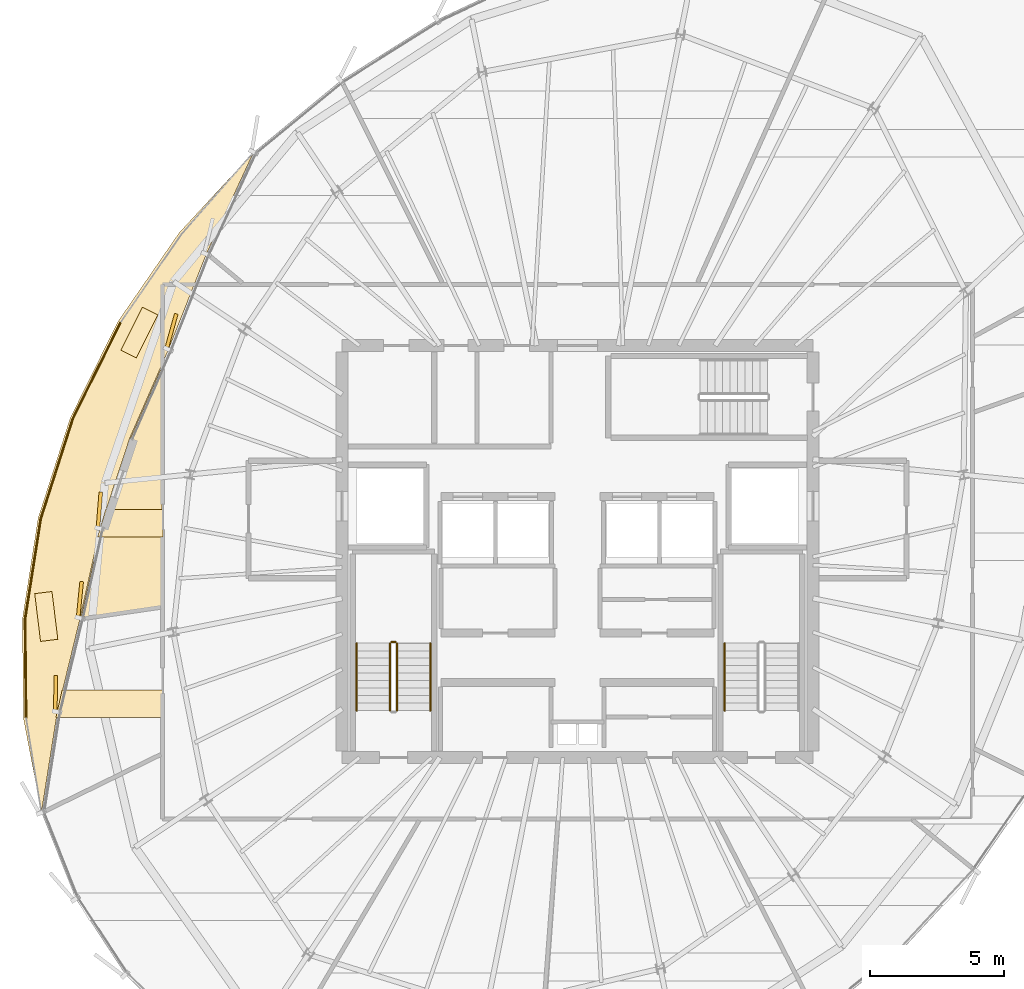
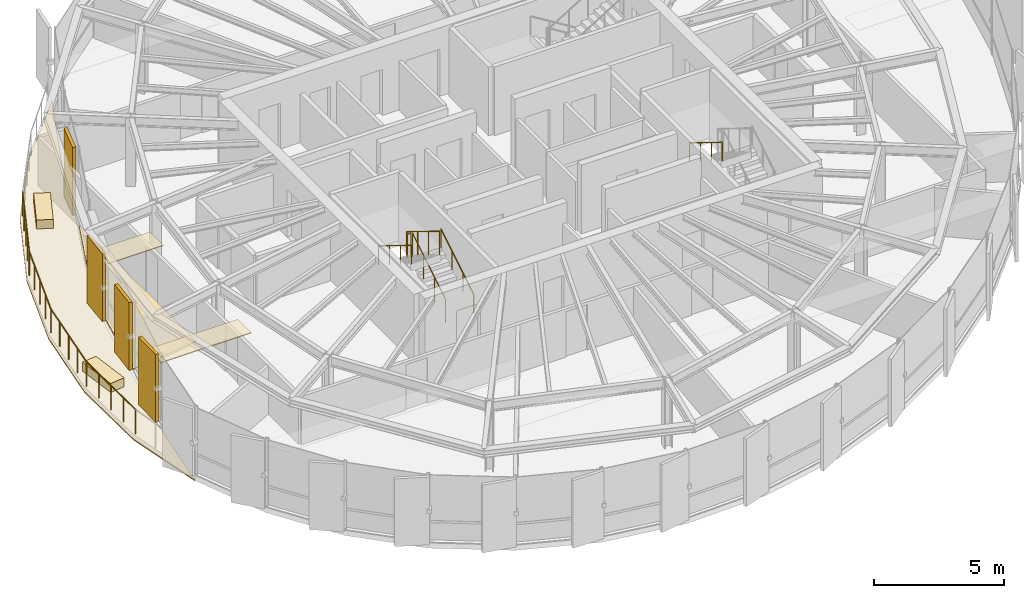
# One storey, part 34 of 36: 10 coverings, 10 railings.
"""IFC4 building model written with IfcOpenShell, lengths in metres."""

from ifc_helpers import new_model, si_unit, direction, frame, origin, origin_2d, place, context, subcontext, project, spatial, polyline, rectangle, circle, outline, extrude, source, transform, mapped, material, layer, layer_set, type_object, element, save


model = new_model("IFC4")

# Units and contexts
model_context = context("Model", 3, precision=1e-05, world=origin(), true_north=direction((0.0, 1.0)))
body_context = subcontext(model_context, "Body", "Model", "MODEL_VIEW")
ifc_project = project(units=[si_unit("LENGTHUNIT", "METRE"), si_unit("AREAUNIT", "SQUARE_METRE"), si_unit("VOLUMEUNIT", "CUBIC_METRE"), si_unit("PLANEANGLEUNIT", "RADIAN"), si_unit("MASSUNIT", "GRAM", prefix="KILO"), si_unit("THERMODYNAMICTEMPERATUREUNIT", "KELVIN")], contexts=[model_context])

# Site, building, storey
site_placement = place(None, origin())
site = spatial("IfcSite", under=ifc_project, at=site_placement, CompositionType="ELEMENT")
building_placement = place(site_placement, origin())
building = spatial("IfcBuilding", under=site, at=building_placement, Name="Kethvar Cultural Tower", CompositionType="ELEMENT")
storey_placement = place(building_placement, frame((0.0, 0.0, 242.199951171875)))
storey = spatial("IfcBuildingStorey", under=building, at=storey_placement, Name="L63", CompositionType="ELEMENT", Elevation=242.199951171875)

# Coverings
ifc_material_1 = material(Name="Acoustic Mineral Fibre Ceiling")
ifc_layer_1 = layer(ifc_material_1, 0.0400390625, Name="Acoustic Mineral Fibre Ceiling")
ifc_layer_set_1 = layer_set([ifc_layer_1], Name="Acoustic Mineral Fibre Ceiling (40 mm)")
covering_type_1 = type_object("IfcCoveringType", Name="CV-ACOUSTIC-CEIL", PredefinedType="CEILING", material=ifc_layer_set_1)
covering_1_placement = place(storey_placement, frame((0.0, 0.0, 2.89013671875)))
element("IfcCovering", 1, at=covering_1_placement, inside=storey, type_object=covering_type_1, Name="L63 Room 01 Acoustic Ceiling Panel", PredefinedType="CEILING", context=body_context, shape_type="SweptSolid", body=[
    extrude(outline(polyline([(27.298095703125, 21.5986328125), (27.530517578125, 22.628662109375), (31.31005859375, 22.628662109375), (31.31005859375, 21.5986328125), (27.298095703125, 21.5986328125)])), origin(), (0.0, 0.0, 1.0), 0.039794921875),
])
covering_2_placement = place(storey_placement, frame((0.0, 0.0, 2.89013671875)))
element("IfcCovering", 2, at=covering_2_placement, inside=storey, type_object=covering_type_1, Name="L63 Room 12 Acoustic Ceiling Panel", PredefinedType="CEILING", context=body_context, shape_type="SweptSolid", body=[
    extrude(outline(polyline([(28.8544921875, 28.3369140625), (29.1552734375, 29.366943359375), (31.31005859375, 29.366943359375), (31.31005859375, 28.3369140625), (28.8544921875, 28.3369140625)])), origin(), (0.0, 0.0, 1.0), 0.039794921875),
])
ifc_material_2 = material(Name="Insulated Waterproofing Membrane")
ifc_layer_2 = layer(ifc_material_2, 0.06005859375, Name="Insulated Waterproofing Membrane")
ifc_layer_set_2 = layer_set([ifc_layer_2], Name="Insulated Waterproofing Membrane (60 mm)")
covering_type_2 = type_object("IfcCoveringType", Name="CV-ROOF-MEMB", PredefinedType="ROOFING", material=ifc_layer_set_2)
covering_3_placement = place(storey_placement, frame((0.0, 0.0, -0.27490234375)))
element("IfcCovering", 3, at=covering_3_placement, inside=storey, type_object=covering_type_2, Name="L63 Terrace Waterproofing", PredefinedType="ROOFING", context=body_context, shape_type="SweptSolid", body=[
    extrude(outline(polyline([(34.692626953125, 42.735595703125), (31.91162109375, 39.727783203125), (29.611083984375, 36.392822265625), (27.8330078125, 32.796875), (26.631103515625, 29.049072265625), (26.042236328125, 25.26318359375), (26.083984375, 21.554443359375), (26.7548828125, 18.03564453125), (27.351318359375, 21.807861328125), (28.20361328125, 25.312255859375), (28.9541015625, 28.693603515625), (30.05908203125, 32.04345703125), (31.507568359375, 35.354736328125), (32.92041015625, 38.919677734375), (34.692626953125, 42.735595703125)])), origin(), (0.0, 0.0, 1.0), 0.06005859375),
])
ifc_material_3 = material(Name="Honed Warm Limestone", Category="masonry")
ifc_layer_3 = layer(ifc_material_3, 0.030029296875, Name="Honed Warm Limestone", Category="masonry")
ifc_layer_set_3 = layer_set([ifc_layer_3], Name="Honed Warm Limestone (30 mm)")
covering_type_3 = type_object("IfcCoveringType", Name="CV-STONE-FLOOR", PredefinedType="FLOORING", material=ifc_layer_set_3)
covering_4_placement = place(storey_placement, origin())
element("IfcCovering", 4, at=covering_4_placement, inside=storey, type_object=covering_type_3, Name="L63 Room 12 Floor Finish", PredefinedType="FLOORING", context=body_context, shape_type="SweptSolid", body=[
    extrude(outline(polyline([(28.973388671875, 28.688232421875), (30.07763671875, 32.0361328125), (31.27001953125, 34.76171875), (31.27001953125, 25.74267578125), (28.229248046875, 25.3359375), (28.973388671875, 28.688232421875)])), origin(), (0.0, 0.0, 1.0), 0.030029296875),
])

# Railings
ifc_material_4 = material(Name="Steel S355J2", Category="steel")
railing_type_1 = type_object("IfcRailingType", Name="RL-EXT-GUARD-1150", PredefinedType="BALUSTRADE", material=ifc_material_4)
railing_1_placement = place(storey_placement, frame((29.70068359375, 36.34814453125, 0.0)))
element("IfcRailing", 5, at=railing_1_placement, inside=storey, type_object=railing_type_1, Name="L63 Spiralling Terrace Balustrade 03", PredefinedType="BALUSTRADE", context=body_context, shape_type="SweptSolid", body=[
    extrude(circle(Radius=0.02392578125, at=origin_2d()), frame((0.0, 0.0, 1.1259765625), z_axis=(-0.443735698474, -0.8961577037, 0.0), x_axis=(0.8961577037, -0.443735698474, 0.0)), (0.0, 0.0, 1.0), 3.9912109375),
    extrude(circle(Radius=0.02099609375, at=origin_2d()), origin(), (0.0, 0.0, 1.0), 1.101806640625),
    extrude(circle(Radius=0.02099609375, at=origin_2d()), frame((-0.44287109375, -0.89404296875, 0.0)), (0.0, 0.0, 1.0), 1.101806640625),
    extrude(circle(Radius=0.02099609375, at=origin_2d()), frame((-0.885498046875, -1.788330078125, 0.0)), (0.0, 0.0, 1.0), 1.101806640625),
    extrude(circle(Radius=0.02099609375, at=origin_2d()), frame((-1.328125, -2.6826171875, 0.0)), (0.0, 0.0, 1.0), 1.101806640625),
    extrude(circle(Radius=0.02099609375, at=origin_2d()), frame((-1.77099609375, -3.57666015625, 0.0)), (0.0, 0.0, 1.0), 1.101806640625),
])
railing_2_placement = place(storey_placement, frame((27.9296875, 32.771484375, 0.0)))
element("IfcRailing", 6, at=railing_2_placement, inside=storey, type_object=railing_type_1, Name="L63 Spiralling Terrace Balustrade 04", PredefinedType="BALUSTRADE", context=body_context, shape_type="SweptSolid", body=[
    extrude(circle(Radius=0.02392578125, at=origin_2d()), frame((0.0, 0.0, 1.1259765625), z_axis=(-0.306055587593, -0.952013643444, 0.0), x_axis=(0.952013643444, -0.306055587593, 0.0)), (0.0, 0.0, 1.0), 3.916748046875),
    extrude(circle(Radius=0.02099609375, at=origin_2d()), origin(), (0.0, 0.0, 1.0), 1.101806640625),
    extrude(circle(Radius=0.02099609375, at=origin_2d()), frame((-0.2998046875, -0.93212890625, 0.0)), (0.0, 0.0, 1.0), 1.101806640625),
    extrude(circle(Radius=0.02099609375, at=origin_2d()), frame((-0.599365234375, -1.8642578125, 0.0)), (0.0, 0.0, 1.0), 1.101806640625),
    extrude(circle(Radius=0.02099609375, at=origin_2d()), frame((-0.89892578125, -2.796630859375, 0.0)), (0.0, 0.0, 1.0), 1.101806640625),
    extrude(circle(Radius=0.02099609375, at=origin_2d()), frame((-1.19873046875, -3.728759765625, 0.0)), (0.0, 0.0, 1.0), 1.101806640625),
])
railing_3_placement = place(storey_placement, frame((26.73095703125, 29.042724609375, 0.0)))
element("IfcRailing", 7, at=railing_3_placement, inside=storey, type_object=railing_type_1, Name="L63 Spiralling Terrace Balustrade 05", PredefinedType="BALUSTRADE", context=body_context, shape_type="SweptSolid", body=[
    extrude(circle(Radius=0.02392578125, at=origin_2d()), frame((0.0, 0.0, 1.1259765625), z_axis=(-0.154558518345, -0.987983635698, 0.0), x_axis=(0.987983635698, -0.154558518345, 0.0)), (0.0, 0.0, 1.0), 3.813232421875),
    extrude(circle(Radius=0.02099609375, at=origin_2d()), origin(), (0.0, 0.0, 1.0), 1.101806640625),
    extrude(circle(Radius=0.02099609375, at=origin_2d()), frame((-0.1474609375, -0.94189453125, 0.0)), (0.0, 0.0, 1.0), 1.101806640625),
    extrude(circle(Radius=0.02099609375, at=origin_2d()), frame((-0.294677734375, -1.8837890625, 0.0)), (0.0, 0.0, 1.0), 1.101806640625),
    extrude(circle(Radius=0.02099609375, at=origin_2d()), frame((-0.44189453125, -2.825439453125, 0.0)), (0.0, 0.0, 1.0), 1.101806640625),
    extrude(circle(Radius=0.02099609375, at=origin_2d()), frame((-0.58935546875, -3.767333984375, 0.0)), (0.0, 0.0, 1.0), 1.101806640625),
])
railing_4_placement = place(storey_placement, frame((26.1416015625, 25.275390625, 0.0)))
element("IfcRailing", 8, at=railing_4_placement, inside=storey, type_object=railing_type_1, Name="L63 Spiralling Terrace Balustrade 06", PredefinedType="BALUSTRADE", context=body_context, shape_type="SweptSolid", body=[
    extrude(circle(Radius=0.02392578125, at=origin_2d()), frame((0.0, 0.0, 1.1259765625), z_axis=(0.010315546869, -0.999946793331, 0.0), x_axis=(0.999946793331, 0.010315546869, 0.0)), (0.0, 0.0, 1.0), 3.692138671875),
    extrude(circle(Radius=0.02099609375, at=origin_2d()), origin(), (0.0, 0.0, 1.0), 1.101806640625),
    extrude(circle(Radius=0.02099609375, at=origin_2d()), frame((0.009521484375, -0.9228515625, 0.0)), (0.0, 0.0, 1.0), 1.101806640625),
    extrude(circle(Radius=0.02099609375, at=origin_2d()), frame((0.01904296875, -1.845947265625, 0.0)), (0.0, 0.0, 1.0), 1.101806640625),
    extrude(circle(Radius=0.02099609375, at=origin_2d()), frame((0.028564453125, -2.76904296875, 0.0)), (0.0, 0.0, 1.0), 1.101806640625),
    extrude(circle(Radius=0.02099609375, at=origin_2d()), frame((0.0380859375, -3.69189453125, 0.0)), (0.0, 0.0, 1.0), 1.101806640625),
])
railing_type_2 = type_object("IfcRailingType", Name="RL-STAIR-GUARD", PredefinedType="BALUSTRADE", material=ifc_material_4)
railing_5_placement = place(storey_placement, frame((40.050048828125, 21.85009765625, 0.172607421875)))
element("IfcRailing", 9, at=railing_5_placement, inside=storey, type_object=railing_type_2, Name="L63 ST-01 stair guard 1", PredefinedType="BALUSTRADE", context=body_context, shape_type="SweptSolid", body=[
    extrude(circle(Radius=0.02392578125, at=origin_2d()), frame((0.0, 0.0, 1.09619140625), z_axis=(0.0, 0.851400495292, 0.524516154772), x_axis=(-1.0, 0.0, 0.0)), (0.0, 0.0, 1.0), 2.9599609375),
    extrude(circle(Radius=0.02099609375, at=origin_2d()), origin(), (0.0, 0.0, 1.0), 1.072021484375),
    extrude(circle(Radius=0.02099609375, at=origin_2d()), frame((0.0, 0.840087890625, 0.517578125)), (0.0, 0.0, 1.0), 1.072021484375),
    extrude(circle(Radius=0.02099609375, at=origin_2d()), frame((0.0, 1.679931640625, 1.034912109375)), (0.0, 0.0, 1.0), 1.072021484375),
    extrude(circle(Radius=0.02099609375, at=origin_2d()), frame((0.0, 2.52001953125, 1.552490234375)), (0.0, 0.0, 1.0), 1.072021484375),
])
railing_6_placement = place(storey_placement, frame((40.0, 24.419921875, 1.72509765625)))
element("IfcRailing", 10, at=railing_6_placement, inside=storey, type_object=railing_type_2, Name="L63 ST-01 stair guard 2", PredefinedType="BALUSTRADE", context=body_context, shape_type="SweptSolid", body=[
    extrude(circle(Radius=0.02392578125, at=origin_2d()), frame((0.0, 0.0, 1.09619140625), z_axis=(-1.0, 0.0, 0.0), x_axis=(0.0, -1.0, 0.0)), (0.0, 0.0, 1.0), 0.159912109375),
    extrude(circle(Radius=0.02099609375, at=origin_2d()), origin(), (0.0, 0.0, 1.0), 1.072021484375),
    extrude(circle(Radius=0.02099609375, at=origin_2d()), frame((-0.159912109375, 0.0, 0.0)), (0.0, 0.0, 1.0), 1.072021484375),
])
railing_7_placement = place(storey_placement, frame((39.7900390625, 24.3701171875, 1.8974609375)))
element("IfcRailing", 11, at=railing_7_placement, inside=storey, type_object=railing_type_2, Name="L63 ST-01 stair guard 3", PredefinedType="BALUSTRADE", context=body_context, shape_type="SweptSolid", body=[
    extrude(circle(Radius=0.02392578125, at=origin_2d()), frame((0.0, 0.0, 1.09619140625), z_axis=(0.0, -0.851400495292, 0.524516154772), x_axis=(1.0, 0.0, 0.0)), (0.0, 0.0, 1.0), 2.9599609375),
    extrude(circle(Radius=0.02099609375, at=origin_2d()), origin(), (0.0, 0.0, 1.0), 1.072021484375),
    extrude(circle(Radius=0.02099609375, at=origin_2d()), frame((0.0, -0.840087890625, 0.517578125)), (0.0, 0.0, 1.0), 1.072021484375),
    extrude(circle(Radius=0.02099609375, at=origin_2d()), frame((0.0, -1.679931640625, 1.034912109375)), (0.0, 0.0, 1.0), 1.072021484375),
    extrude(circle(Radius=0.02099609375, at=origin_2d()), frame((0.0, -2.52001953125, 1.552490234375)), (0.0, 0.0, 1.0), 1.072021484375),
])
railing_type_3 = type_object("IfcRailingType", Name="RL-STAIR-HANDRAIL", PredefinedType="HANDRAIL", material=ifc_material_4)
railing_8_placement = place(storey_placement, frame((41.300048828125, 21.85009765625, 0.172607421875)))
element("IfcRailing", 12, at=railing_8_placement, inside=storey, type_object=railing_type_3, Name="L63 ST-01 stair handrail 1", PredefinedType="HANDRAIL", context=body_context, shape_type="SweptSolid", body=[
    extrude(circle(Radius=0.02392578125, at=origin_2d()), frame((0.0, 0.0, 0.8759765625), z_axis=(0.0, 0.851400495292, 0.524516154772), x_axis=(-1.0, 0.0, 0.0)), (0.0, 0.0, 1.0), 2.9599609375),
    extrude(circle(Radius=0.02099609375, at=origin_2d()), origin(), (0.0, 0.0, 1.0), 0.851806640625),
    extrude(circle(Radius=0.02099609375, at=origin_2d()), frame((0.0, 0.840087890625, 0.517578125)), (0.0, 0.0, 1.0), 0.851806640625),
    extrude(circle(Radius=0.02099609375, at=origin_2d()), frame((0.0, 1.679931640625, 1.034912109375)), (0.0, 0.0, 1.0), 0.851806640625),
    extrude(circle(Radius=0.02099609375, at=origin_2d()), frame((0.0, 2.52001953125, 1.552490234375)), (0.0, 0.0, 1.0), 0.851806640625),
])
for number, where, name in (
    (13, (38.5400390625, 24.3701171875, 1.8974609375), "L63 ST-01 stair handrail 2"),
    (14, (52.300048828125, 24.3701171875, 1.8974609375), "L63 ST-02 stair handrail 2"),
):
    element("IfcRailing", number, at=place(storey_placement, frame(where)), inside=storey, type_object=railing_type_3, Name=name, PredefinedType="HANDRAIL", context=body_context, shape_type="SweptSolid", body=[
        extrude(circle(Radius=0.02392578125, at=origin_2d()), frame((0.0, 0.0, 0.8759765625), z_axis=(0.0, -0.851400495292, 0.524516154772), x_axis=(1.0, 0.0, 0.0)), (0.0, 0.0, 1.0), 2.9599609375),
        extrude(circle(Radius=0.02099609375, at=origin_2d()), origin(), (0.0, 0.0, 1.0), 0.851806640625),
        extrude(circle(Radius=0.02099609375, at=origin_2d()), frame((0.0, -0.840087890625, 0.517578125)), (0.0, 0.0, 1.0), 0.851806640625),
        extrude(circle(Radius=0.02099609375, at=origin_2d()), frame((0.0, -1.679931640625, 1.034912109375)), (0.0, 0.0, 1.0), 0.851806640625),
        extrude(circle(Radius=0.02099609375, at=origin_2d()), frame((0.0, -2.52001953125, 1.552490234375)), (0.0, 0.0, 1.0), 0.851806640625),
    ])

# Coverings
ifc_material_5 = material(Name="Extruded Architectural Terracotta", Category="masonry")
ifc_layer_4 = layer(ifc_material_5, 0.419921875, Name="Extruded Architectural Terracotta", Category="masonry")
ifc_layer_set_4 = layer_set([ifc_layer_4], Name="Extruded Architectural Terracotta (420 mm)")
covering_type_4 = type_object("IfcCoveringType", Name="Terracotta Terrace Planter PLANTER-01", PredefinedType="USERDEFINED", material=ifc_layer_set_4)
shared_shape_1 = source(origin(), body_context, "Body", "SweptSolid", [
    extrude(rectangle(XDim=1.800048828125, YDim=0.64990234375, at=origin_2d()), origin(), (0.0, 0.0, 1.0), 0.419921875),
])
for number, where, z_axis, x_axis, name in (
    (15, (30.416259765625, 35.990478515625, 0.0), (0.0, 0.0, 1.0), (-0.447134741355, -0.894466613728, 0.0), "L63 Sky Terrace Planter Box A"),
    (16, (26.935546875, 25.372314453125, 0.0), (0.0, 0.0, 1.0), (0.121349630774, -0.992609826221, 0.0), "L63 Sky Terrace Planter Box B"),
):
    element("IfcCovering", number, at=place(storey_placement, frame(where, z_axis=z_axis, x_axis=x_axis)), inside=storey, type_object=covering_type_4, Name=name, ObjectType="PLANTER", PredefinedType="USERDEFINED", context=body_context, shape_type="MappedRepresentation", body=[
        mapped(shared_shape_1, transform((0.0, 0.0, 0.0), scale=1.0)),
    ])
ifc_layer_5 = layer(ifc_material_5, 0.135009765625, Name="Extruded Architectural Terracotta", Category="masonry")
ifc_layer_set_5 = layer_set([ifc_layer_5], Name="Extruded Architectural Terracotta (135 mm)")
covering_type_5 = type_object("IfcCoveringType", Name="Terracotta Facade Fin FIN-03", PredefinedType="CLADDING", material=ifc_layer_set_5)
shared_shape_2 = source(origin(), body_context, "Body", "SweptSolid", [
    extrude(rectangle(XDim=1.35009765625, YDim=0.135009765625, at=origin_2d()), origin(), (0.0, 0.0, 1.0), 3.169921875),
])
for number, where, z_axis, x_axis, name in (
    (17, (31.6162109375, 36.036865234375, 0.02001953125), (0.0, 0.0, 1.0), (0.26942409447, 0.963021628687, 0.0), "L63 Vertical Terracotta Fin 2.5"),
    (18, (28.921630859375, 29.348876953125, 0.02001953125), (0.0, 0.0, 1.0), (0.078807080738, 0.996889885607, 0.0), "L63 Vertical Terracotta Fin 3.1"),
    (19, (28.192626953125, 26.0029296875, 0.02001953125), (0.0, 0.0, 1.0), (0.098798726275, 0.995107437258, 0.0), "L63 Vertical Terracotta Fin 3.2"),
    (20, (27.283935546875, 22.4951171875, 0.02001953125), (0.0, 0.0, 1.0), (0.017103392695, 0.999853726281, 0.0), "L63 Vertical Terracotta Fin 3.3"),
):
    element("IfcCovering", number, at=place(storey_placement, frame(where, z_axis=z_axis, x_axis=x_axis)), inside=storey, type_object=covering_type_5, Name=name, PredefinedType="CLADDING", context=body_context, shape_type="MappedRepresentation", body=[
        mapped(shared_shape_2, transform((0.0, 0.0, 0.0), scale=1.0)),
    ])

save(model, "model.ifc")
